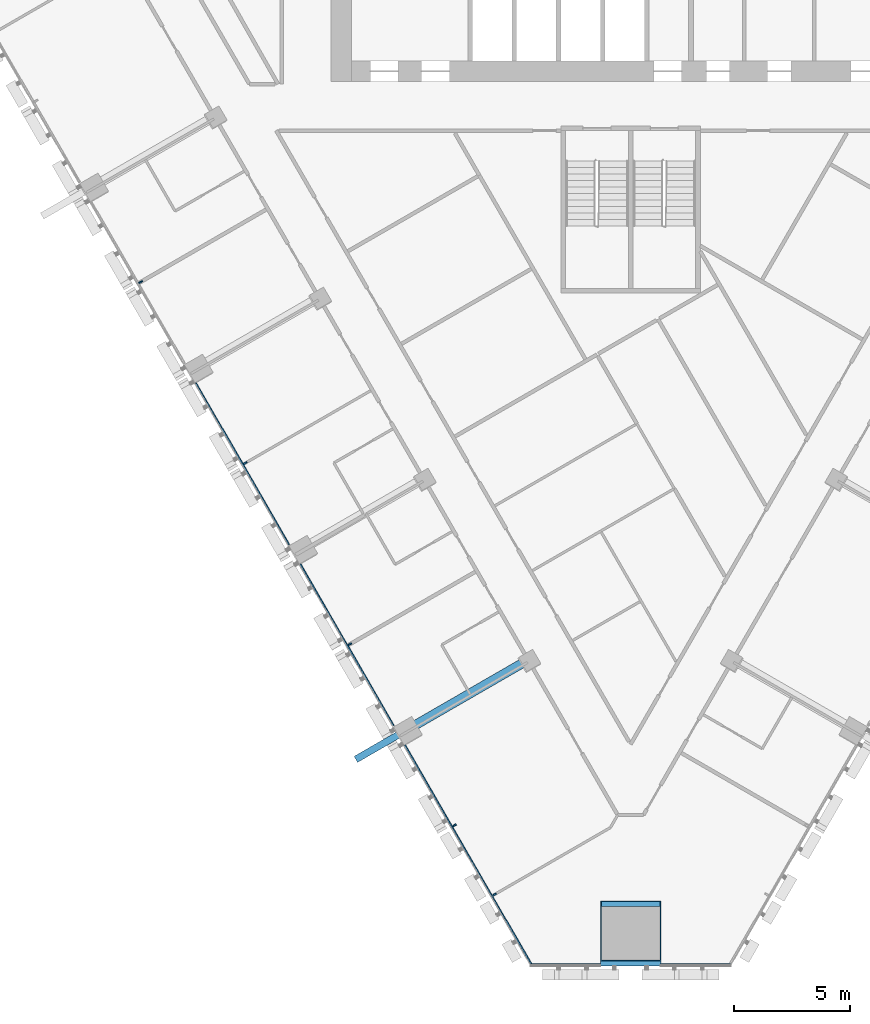
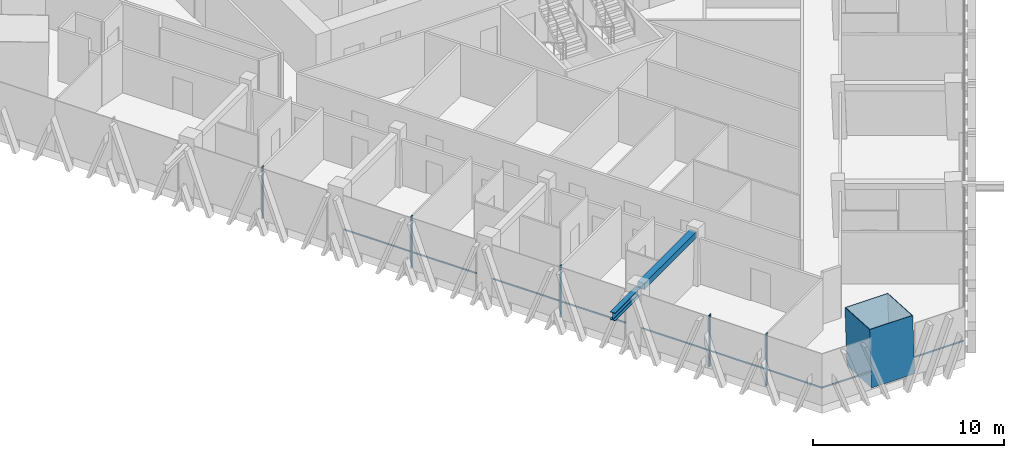
# One storey, part 2 of 15: 12 members, 1 beam, 2 elements without a shape of their own.
"""IFC4 building model written with IfcOpenShell, lengths in metres."""

from ifc_helpers import new_model, si_unit, direction, frame, origin, origin_2d, place, context, subcontext, project, spatial, rectangle, hollow_rectangle, i_section, extrude, material, layer, layer_set, material_profile, profile_set, type_object, element, aggregate, save


model = new_model("IFC4")

# Units and contexts
model_context = context("Model", 3, precision=1e-05, world=origin(), true_north=direction((0.0, 1.0)))
body_context = subcontext(model_context, "Body", "Model", "MODEL_VIEW")
ifc_project = project(units=[si_unit("LENGTHUNIT", "METRE"), si_unit("AREAUNIT", "SQUARE_METRE"), si_unit("VOLUMEUNIT", "CUBIC_METRE"), si_unit("PLANEANGLEUNIT", "RADIAN"), si_unit("MASSUNIT", "GRAM", prefix="KILO")], contexts=[model_context])

# Site, building, storey
site_placement = place(None, origin())
site = spatial("IfcSite", under=ifc_project, at=site_placement, CompositionType="ELEMENT")
building_placement = place(site_placement, origin())
building = spatial("IfcBuilding", under=site, at=building_placement, Name="Altiplano Prism Tower", CompositionType="ELEMENT")
storey_placement = place(building_placement, frame((0.0, 0.0, 91.800048828125)))
storey = spatial("IfcBuildingStorey", under=building, at=storey_placement, Name="L23", CompositionType="ELEMENT", Elevation=91.800048828125)

# Member
ifc_material_1 = material(Name="Steel S355", Category="steel")
ifc_material_profile_1 = material_profile(ifc_material_1, i_section(OverallWidth=0.300048828125, OverallDepth=0.5, WebThickness=0.014404296875, FlangeThickness=0.028076171875, FilletRadius=0.027099609375, at=origin_2d()), Name="Brace bracket HEB 500")
ifc_profile_set_1 = profile_set([ifc_material_profile_1], Name="Steel S355")
member_type_1 = type_object("IfcMemberType", Name="Brace bracket HEB 500", PredefinedType="STRUT", material=ifc_profile_set_1)
member_1_placement = place(storey_placement, frame((75.472900390625, 64.666015625, 2.949951171875), z_axis=(-0.866029095148, -0.499993606316, 0.0), x_axis=(0.499993606316, -0.866029095148, 0.0)))
element("IfcMember", 1, at=member_1_placement, inside=storey, type_object=member_type_1, Name="Brace bracket 1.95.4", PredefinedType="STRUT", context=body_context, shape_type="SweptSolid", body=[
    extrude(i_section(OverallWidth=0.300048828125, OverallDepth=0.5, WebThickness=0.014404296875, FlangeThickness=0.028076171875, FilletRadius=0.027099609375, at=origin_2d()), origin(), (0.0, 0.0, 1.0), 2.64990234375),
])

# Curtain wall, members
ifc_material_2 = material(Name="Aluminium and glass", Category="aluminium")
ifc_layer = layer(ifc_material_2, 0.280029296875)
ifc_layer_set = layer_set([ifc_layer], Name="Aluminium and glass")
curtain_wall_type = type_object("IfcCurtainWallType", Name="CW1 typical co-living unitised curtain wall", PredefinedType="NOTDEFINED", material=ifc_layer_set)
curtain_wall_1_placement = place(storey_placement, origin())
curtain_wall_1 = element("IfcCurtainWall", 2, at=curtain_wall_1_placement, inside=storey, type_object=curtain_wall_type, Name="CW1 curtain wall south-west face L23", PredefinedType="NOTDEFINED")
ifc_material_3 = material(Name="Aluminium", Category="aluminium")
ifc_material_profile_2 = material_profile(ifc_material_3, rectangle(XDim=0.179931640625, YDim=0.06494140625, at=origin_2d()), Name="CW1 mullion 65 x 180")
ifc_profile_set_2 = profile_set([ifc_material_profile_2], Name="Aluminium")
member_type_2 = type_object("IfcMemberType", Name="CW1 mullion 65 x 180", PredefinedType="MULLION", material=ifc_profile_set_2)
member_2_placement = place(storey_placement, frame((63.917724609375, 83.883056640625, 0.0), z_axis=(0.0, 0.0, 1.0), x_axis=(0.866025397248, 0.500000011321, 0.0)))
member_2 = element("IfcMember", 3, at=member_2_placement, type_object=member_type_2, Name="CW1 mullion", PredefinedType="MULLION", context=body_context, shape_type="SweptSolid", body=[
    extrude(rectangle(XDim=0.179931640625, YDim=0.06494140625, at=origin_2d()), origin(), (0.0, 0.0, 1.0), 3.300048828125),
])
member_3_placement = place(storey_placement, frame((68.417724609375, 76.0888671875, 0.0), z_axis=(0.0, 0.0, 1.0), x_axis=(0.866025397248, 0.500000011321, 0.0)))
member_3 = element("IfcMember", 4, at=member_3_placement, type_object=member_type_2, Name="CW1 mullion", PredefinedType="MULLION", context=body_context, shape_type="SweptSolid", body=[
    extrude(rectangle(XDim=0.179931640625, YDim=0.06494140625, at=origin_2d()), origin(), (0.0, 0.0, 1.0), 3.300048828125),
])
member_4_placement = place(storey_placement, frame((72.917724609375, 68.294677734375, 0.0), z_axis=(0.0, 0.0, 1.0), x_axis=(0.866025397248, 0.500000011321, 0.0)))
member_4 = element("IfcMember", 5, at=member_4_placement, type_object=member_type_2, Name="CW1 mullion", PredefinedType="MULLION", context=body_context, shape_type="SweptSolid", body=[
    extrude(rectangle(XDim=0.179931640625, YDim=0.06494140625, at=origin_2d()), origin(), (0.0, 0.0, 1.0), 3.300048828125),
])
member_5_placement = place(storey_placement, frame((77.417724609375, 60.50048828125, 0.0), z_axis=(0.0, 0.0, 1.0), x_axis=(0.866025397248, 0.500000011321, 0.0)))
member_5 = element("IfcMember", 6, at=member_5_placement, type_object=member_type_2, Name="CW1 mullion", PredefinedType="MULLION", context=body_context, shape_type="SweptSolid", body=[
    extrude(rectangle(XDim=0.179931640625, YDim=0.06494140625, at=origin_2d()), origin(), (0.0, 0.0, 1.0), 3.300048828125),
])
member_6_placement = place(storey_placement, frame((79.137451171875, 57.521728515625, 0.0), z_axis=(0.0, 0.0, 1.0), x_axis=(0.866025397248, 0.500000011321, 0.0)))
member_6 = element("IfcMember", 7, at=member_6_placement, type_object=member_type_2, Name="CW1 mullion", PredefinedType="MULLION", context=body_context, shape_type="SweptSolid", body=[
    extrude(rectangle(XDim=0.179931640625, YDim=0.06494140625, at=origin_2d()), origin(), (0.0, 0.0, 1.0), 3.300048828125),
])
ifc_material_profile_3 = material_profile(ifc_material_3, rectangle(XDim=0.06005859375, YDim=0.080078125, at=origin_2d()), Name="CW1 transom 80 x 60")
ifc_profile_set_3 = profile_set([ifc_material_profile_3], Name="Aluminium")
member_type_3 = type_object("IfcMemberType", Name="CW1 transom 80 x 60", PredefinedType="USERDEFINED", material=ifc_profile_set_3)
member_7_placement = place(storey_placement, frame((66.289306640625, 79.53564453125, 1.099853515625), z_axis=(0.499993018469, -0.866029434536, 0.0), x_axis=(0.866029434536, 0.499993018469, 0.0)))
member_7 = element("IfcMember", 8, at=member_7_placement, type_object=member_type_3, Name="CW1 transom", ObjectType="TRANSOM", PredefinedType="USERDEFINED", context=body_context, shape_type="SweptSolid", body=[
    extrude(rectangle(XDim=0.06005859375, YDim=0.080078125, at=origin_2d()), origin(), (0.0, 0.0, 1.0), 8.01904296875),
])
member_8_placement = place(storey_placement, frame((70.789306640625, 71.741455078125, 1.099853515625), z_axis=(0.499993018469, -0.866029434536, 0.0), x_axis=(0.866029434536, 0.499993018469, 0.0)))
member_8 = element("IfcMember", 9, at=member_8_placement, type_object=member_type_3, Name="CW1 transom", ObjectType="TRANSOM", PredefinedType="USERDEFINED", context=body_context, shape_type="SweptSolid", body=[
    extrude(rectangle(XDim=0.06005859375, YDim=0.080078125, at=origin_2d()), origin(), (0.0, 0.0, 1.0), 8.01904296875),
])
member_9_placement = place(storey_placement, frame((75.289306640625, 63.947265625, 1.099853515625), z_axis=(0.500000281738, -0.866025241123, 0.0), x_axis=(0.866025241123, 0.500000281738, 0.0)))
member_9 = element("IfcMember", 10, at=member_9_placement, type_object=member_type_3, Name="CW1 transom", ObjectType="TRANSOM", PredefinedType="USERDEFINED", context=body_context, shape_type="SweptSolid", body=[
    extrude(rectangle(XDim=0.06005859375, YDim=0.080078125, at=origin_2d()), origin(), (0.0, 0.0, 1.0), 10.92822265625),
])
aggregate(curtain_wall_1, [member_2, member_3, member_7, member_4, member_8, member_5, member_6, member_9])

curtain_wall_2_placement = place(storey_placement, origin())
curtain_wall_2 = element("IfcCurtainWall", 11, at=curtain_wall_2_placement, inside=storey, type_object=curtain_wall_type, Name="CW1 curtain wall south chamfer L23", PredefinedType="NOTDEFINED")
member_10_placement = place(storey_placement, frame((80.692626953125, 54.51806640625, 1.099853515625), z_axis=(1.0, 0.0, 0.0), x_axis=(0.0, 1.0, 0.0)))
member_10 = element("IfcMember", 12, at=member_10_placement, type_object=member_type_3, Name="CW1 transom", ObjectType="TRANSOM", PredefinedType="USERDEFINED", context=body_context, shape_type="SweptSolid", body=[
    extrude(rectangle(XDim=0.06005859375, YDim=0.080078125, at=origin_2d()), origin(), (0.0, 0.0, 1.0), 3.00732421875),
])
member_11_placement = place(storey_placement, frame((86.300048828125, 54.51806640625, 1.099853515625), z_axis=(1.0, 0.0, 0.0), x_axis=(0.0, 1.0, 0.0)))
member_11 = element("IfcMember", 13, at=member_11_placement, type_object=member_type_3, Name="CW1 transom", ObjectType="TRANSOM", PredefinedType="USERDEFINED", context=body_context, shape_type="SweptSolid", body=[
    extrude(rectangle(XDim=0.06005859375, YDim=0.080078125, at=origin_2d()), origin(), (0.0, 0.0, 1.0), 3.00732421875),
])
aggregate(curtain_wall_2, [member_10, member_11])

# Member
ifc_material_4 = material(Name="Steel S460", Category="steel")
ifc_material_profile_4 = material_profile(ifc_material_4, hollow_rectangle(XDim=2.60009765625, YDim=2.60009765625, WallThickness=0.0400390625, at=origin_2d()), Name="Mega column tube 2600")
ifc_profile_set_4 = profile_set([ifc_material_profile_4], Name="Steel S460")
member_type_4 = type_object("IfcMemberType", Name="Mega column tube 2600", PredefinedType="POST", material=ifc_profile_set_4)
member_12_placement = place(storey_placement, frame((85.0, 55.748046875, 0.0), z_axis=(0.0, 0.058360852261, 0.998295552892), x_axis=(-1.0, 0.0, 0.0)))
element("IfcMember", 14, at=member_12_placement, inside=storey, type_object=member_type_4, Name="Mega column tube M1 L23", PredefinedType="POST", context=body_context, shape_type="SweptSolid", body=[
    extrude(hollow_rectangle(XDim=2.60009765625, YDim=2.60009765625, WallThickness=0.0400390625, at=origin_2d()), origin(), (0.0, 0.0, 1.0), 3.60595703125),
])

# Beam
ifc_material_5 = material(Name="Concrete C60/75", Category="concrete")
ifc_material_profile_5 = material_profile(ifc_material_5, rectangle(XDim=0.39990234375, YDim=0.39990234375, at=origin_2d()), Name="Tie beam 400x400")
ifc_profile_set_5 = profile_set([ifc_material_profile_5], Name="Concrete C60/75")
beam_type = type_object("IfcBeamType", Name="Tie beam 400x400", PredefinedType="BEAM", material=ifc_profile_set_5)
beam_placement = place(storey_placement, frame((80.51318359375, 67.575927734375, 3.099853515625), z_axis=(-0.866031549307, -0.499989355492, 0.0), x_axis=(0.499989355492, -0.866031549307, 0.0)))
element("IfcBeam", 15, at=beam_placement, inside=storey, type_object=beam_type, Name="Tie beam I14 L24", PredefinedType="BEAM", context=body_context, shape_type="SweptSolid", body=[
    extrude(rectangle(XDim=0.39990234375, YDim=0.39990234375, at=origin_2d()), origin(), (0.0, 0.0, 1.0), 5.48974609375),
])

save(model, "model.ifc")
